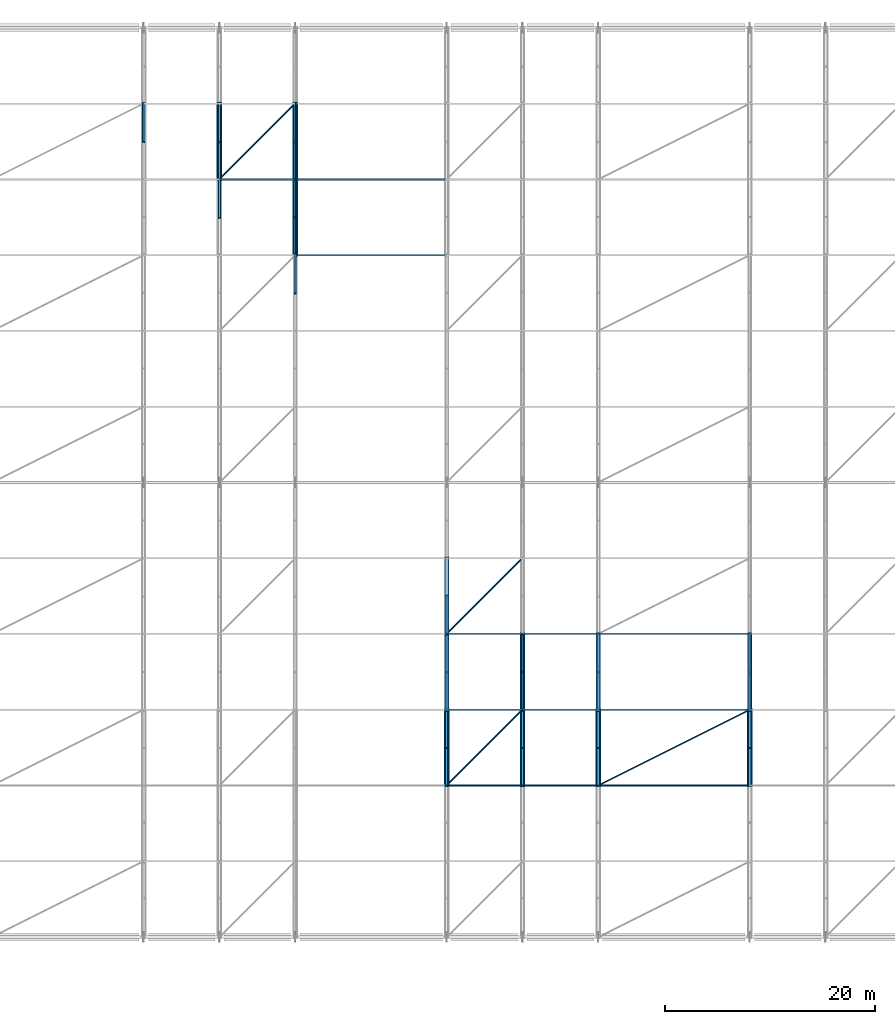
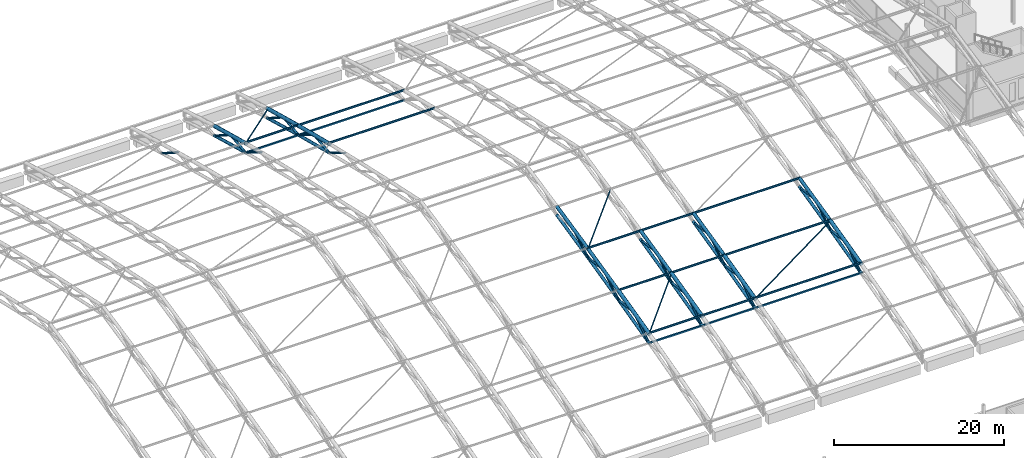
# One storey, part 45 of 193: 71 members.
"""IFC4 building model written with IfcOpenShell, lengths in metres."""

import ifcopenshell
import ifcopenshell.guid

model = None  # the IFC model being written
_history = None  # IfcOwnerHistory: only IFC2X3 demands one
_inside = {}  # id of a spatial element -> (the spatial element, [elements in it])
_under = {}  # id of a project, library or spatial element -> (it, [spatial elements below it])
_declared = {}  # id of a project -> (the project, [libraries it declares])
_typed = {}  # id of a type object -> (the type object, [elements of that type])
_made_of = {}  # id of a material, layer set ... -> (it, [elements and type objects made of it])


def new_model(schema):
    """Start an empty IFC model of exactly this schema.

    Asked for "IFC4X3", IfcOpenShell would pick the latest addendum, in which some entities
    have other attributes; the version numbers below select the first issue.
    IFC2X3 requires an IfcOwnerHistory on every rooted entity: one is made here for all.
    """
    global model, _history
    if schema == "IFC4X3":
        model = ifcopenshell.file(schema_version=(4, 3, 0, 0))
    else:
        model = ifcopenshell.file(schema=schema)
    _inside.clear()
    _under.clear()
    _declared.clear()
    _typed.clear()
    _made_of.clear()
    _history = None
    if model.schema == "IFC2X3":
        org = make("IfcOrganization", Name="unknown")
        user = make(
            "IfcPersonAndOrganization",
            ThePerson=make("IfcPerson", FamilyName="unknown"),
            TheOrganization=org,
        )
        app = make(
            "IfcApplication",
            ApplicationDeveloper=org,
            Version="unknown",
            ApplicationFullName="unknown",
            ApplicationIdentifier="unknown",
        )
        _history = make(
            "IfcOwnerHistory",
            OwningUser=user,
            OwningApplication=app,
            ChangeAction="ADDED",
            CreationDate=0,
        )
    return model


def make(cls, **values):
    """One entity of the class cls with the attributes given. An attribute that is None is left unset."""
    return model.create_entity(
        cls, **{name: value for name, value in values.items() if value is not None}
    )


def rooted(cls, **values):
    """An entity with a GlobalId (a new one), such as an element, a storey or a relation."""
    return make(cls, GlobalId=ifcopenshell.guid.new(), OwnerHistory=_history, **values)


def si_unit(unit_type, name, prefix=None):
    """IfcSIUnit, for example si_unit("LENGTHUNIT", "METRE", prefix="MILLI")."""
    return make("IfcSIUnit", UnitType=unit_type, Prefix=prefix, Name=name)


def assignment(units):
    """IfcUnitAssignment: the units of a project."""
    return None if units is None else make("IfcUnitAssignment", Units=units)


def point(xyz):
    """IfcCartesianPoint."""
    return None if xyz is None else make("IfcCartesianPoint", Coordinates=xyz)


def direction(xyz):
    """IfcDirection."""
    return None if xyz is None else make("IfcDirection", DirectionRatios=xyz)


def frame(location, z_axis=None, x_axis=None):
    """IfcAxis2Placement3D, a coordinate frame: its origin and axes. An axis left out is left unset."""
    return make(
        "IfcAxis2Placement3D",
        Location=point(location),
        Axis=direction(z_axis),
        RefDirection=direction(x_axis),
    )


def frame_2d(location, x_axis=None):
    """IfcAxis2Placement2D, a coordinate frame in the plane: its origin and x axis."""
    return make(
        "IfcAxis2Placement2D", Location=point(location), RefDirection=direction(x_axis)
    )


def origin():
    """The frame at (0, 0, 0) with its axes left unset."""
    return frame((0.0, 0.0, 0.0))


def origin_2d():
    """The frame at (0, 0) in the plane with its x axis left unset."""
    return frame_2d((0.0, 0.0))


def place(relative_to, where):
    """IfcLocalPlacement: puts the frame where relative to a parent placement (None: the world)."""
    return make(
        "IfcLocalPlacement", PlacementRelTo=relative_to, RelativePlacement=where
    )


def context(
    kind, dimensions, precision=None, world=None, true_north=None, identifier=None
):
    """IfcGeometricRepresentationContext, for example the 3D "Model" context."""
    return make(
        "IfcGeometricRepresentationContext",
        ContextIdentifier=identifier,
        ContextType=kind,
        CoordinateSpaceDimension=dimensions,
        Precision=precision,
        WorldCoordinateSystem=world,
        TrueNorth=true_north,
    )


def subcontext(parent, identifier, kind, view, scale=None):
    """IfcGeometricRepresentationSubContext, for example "Body" below "Model"."""
    return make(
        "IfcGeometricRepresentationSubContext",
        ContextIdentifier=identifier,
        ContextType=kind,
        ParentContext=parent,
        TargetScale=scale,
        TargetView=view,
    )


def project(units=None, contexts=None):
    """IfcProject with its units and contexts."""
    return rooted(
        "IfcProject",
        Name="project",
        RepresentationContexts=contexts,
        UnitsInContext=assignment(units),
    )


def spatial(cls, under=None, at=None, **own):
    """A site, building, storey or space (cls), placed at a placement, below another one or the project."""
    s = rooted(cls, ObjectPlacement=at, **own)
    if under is not None:
        _under.setdefault(under.id(), (under, []))[1].append(s)
    return s


def profile(cls, at=None, kind="AREA", **sizes):
    """A parametric profile (cls). Its sizes go by their IFC names, for example OverallWidth=200.0."""
    return make(cls, ProfileType=kind, Position=at, **sizes)


def hollow_rectangle(**sizes):
    """IfcRectangleHollowProfileDef."""
    return profile("IfcRectangleHollowProfileDef", **sizes)


def hollow_circle(**sizes):
    """IfcCircleHollowProfileDef."""
    return profile("IfcCircleHollowProfileDef", **sizes)


def i_section(**sizes):
    """IfcIShapeProfileDef."""
    return profile("IfcIShapeProfileDef", **sizes)


def extrude(swept, where, along, depth):
    """IfcExtrudedAreaSolid: the profile swept, set in the frame where, extruded along a direction by depth."""
    return make(
        "IfcExtrudedAreaSolid",
        SweptArea=swept,
        Position=where,
        ExtrudedDirection=direction(along),
        Depth=depth,
    )


def shape(context_of_items, identifier, shape_type, items):
    """IfcShapeRepresentation: the items that make up one representation, for example the "Body"."""
    return make(
        "IfcShapeRepresentation",
        ContextOfItems=context_of_items,
        RepresentationIdentifier=identifier,
        RepresentationType=shape_type,
        Items=items,
    )


def material(Name=None, Category=None):
    """IfcMaterial."""
    return make("IfcMaterial", Name=Name, Category=Category)


def material_profile(
    of_material, cross_section, Name=None, Category=None, Priority=None
):
    """IfcMaterialProfile: a cross section and its material."""
    return make(
        "IfcMaterialProfile",
        Name=Name,
        Material=of_material,
        Profile=cross_section,
        Priority=Priority,
        Category=Category,
    )


def profile_set(profiles, Name=None, composite=None):
    """IfcMaterialProfileSet."""
    return make(
        "IfcMaterialProfileSet",
        Name=Name,
        MaterialProfiles=profiles,
        CompositeProfile=composite,
    )


def made_of(thing, what):
    """Note that an element or type object is made of a material, layer set ...; save() writes the relation."""
    if what is not None:
        _made_of.setdefault(what.id(), (what, []))[1].append(thing)
    return thing


def type_object(cls, material=None, **own):
    """A type object (cls), such as IfcWallType, which elements share."""
    return made_of(rooted(cls, **own), material)


def element(
    cls,
    number,
    at=None,
    inside=None,
    cuts=None,
    type_object=None,
    material=None,
    context=None,
    identifier="Body",
    shape_type=None,
    held_by="IfcProductDefinitionShape",
    body=None,
    shapes=None,
    **own,
):
    """One element of the class cls, such as IfcWall. Its Tag is "e" and its number.

    at: its placement. inside: the storey or other place that contains it. cuts: it is an
    opening in that element (IfcRelVoidsElement). A single representation is given by context,
    identifier, shape_type and body (its items); several are given by shapes. held_by: the class
    of the entity that holds the representations. save() writes the other relations.
    """
    e = rooted(cls, Tag="e%d" % number, ObjectPlacement=at, **own)
    if body is not None:
        shapes = [shape(context, identifier, shape_type, body)]
    if shapes is not None:
        e.Representation = make(held_by, Representations=shapes)
    if inside is not None:
        _inside.setdefault(inside.id(), (inside, []))[1].append(e)
    if cuts is not None:
        rooted(
            "IfcRelVoidsElement", RelatingBuildingElement=cuts, RelatedOpeningElement=e
        )
    if type_object is not None:
        _typed.setdefault(type_object.id(), (type_object, []))[1].append(e)
    return made_of(e, material)


def aggregate(whole, parts):
    """IfcRelAggregates: a whole, such as a stair, and the parts it consists of."""
    return rooted("IfcRelAggregates", RelatingObject=whole, RelatedObjects=parts)


def save(model, path):
    """Write the relations noted so far, then the file.

    IfcRelAggregates (storeys below a building ...), IfcRelContainedInSpatialStructure (elements
    in a storey), IfcRelDefinesByType, IfcRelAssociatesMaterial and IfcRelDeclares: one each for
    every whole, place, type object, material and project.
    """
    for whole, parts in _under.values():
        aggregate(whole, parts)
    for where, things in _inside.values():
        rooted(
            "IfcRelContainedInSpatialStructure",
            RelatedElements=things,
            RelatingStructure=where,
        )
    for kind, things in _typed.values():
        rooted("IfcRelDefinesByType", RelatedObjects=things, RelatingType=kind)
    for what, things in _made_of.values():
        rooted("IfcRelAssociatesMaterial", RelatedObjects=things, RelatingMaterial=what)
    for by, libraries in _declared.values():
        rooted("IfcRelDeclares", RelatingContext=by, RelatedDefinitions=libraries)
    model.write(path)


model = new_model("IFC4")

# Units and contexts
model_context = context("Model", 3, precision=1e-05, world=origin(), true_north=direction((0.0, 1.0)))
body_context = subcontext(model_context, "Body", "Model", "MODEL_VIEW")
ifc_project = project(units=[si_unit("LENGTHUNIT", "METRE"), si_unit("AREAUNIT", "SQUARE_METRE"), si_unit("VOLUMEUNIT", "CUBIC_METRE"), si_unit("PLANEANGLEUNIT", "RADIAN"), si_unit("MASSUNIT", "GRAM", prefix="KILO")], contexts=[model_context])

# Site, building, storey
site_placement = place(None, origin())
site = spatial("IfcSite", under=ifc_project, at=site_placement, CompositionType="ELEMENT")
building_placement = place(site_placement, origin())
building = spatial("IfcBuilding", under=site, at=building_placement, Name="Cendralis Lancet Convention Centre", CompositionType="ELEMENT")
storey_placement = place(building_placement, frame((0.0, 0.0, 10.199951171875)))
storey = spatial("IfcBuildingStorey", under=building, at=storey_placement, Name="L02", CompositionType="ELEMENT", Elevation=10.199951171875)

# Members
ifc_material = material(Name="Steel S355", Category="steel")
ifc_material_profile_1 = material_profile(ifc_material, hollow_circle(Radius=0.084228515625, WallThickness=0.008056640625, at=origin_2d()), Name="CHS 168.3x8.0")
ifc_profile_set_1 = profile_set([ifc_material_profile_1], Name="Steel S355")
member_type_1 = type_object("IfcMemberType", Name="STR-BR-RB01", PredefinedType="BRACE", material=ifc_profile_set_1)
member_1_placement = place(storey_placement, frame((43.199951171875, 122.39990234375, 7.576416015625), z_axis=(0.694854047824, 0.694877609387, -0.185264568107), x_axis=(-0.7071187694, 0.70709479277, 0.0)))
element("IfcMember", 1, at=member_1_placement, inside=storey, type_object=member_type_1, Name="Roof Diaphragm Brace RB01 V1-05-10A", PredefinedType="BRACE", context=body_context, shape_type="SweptSolid", body=[
    extrude(hollow_circle(Radius=0.084228515625, WallThickness=0.008056640625, at=origin_2d()), origin(), (0.0, 0.0, 1.0), 10.36181640625),
])
member_2_placement = place(storey_placement, frame((64.800048828125, 64.800048828125, 7.576416015625), z_axis=(0.696392758522, 0.696392758522, 0.173419294652), x_axis=(-0.707106781187, 0.707106781187, 0.0)))
element("IfcMember", 2, at=member_2_placement, inside=storey, type_object=member_type_1, Name="Roof Diaphragm Brace RB01 V1-07-02A", PredefinedType="BRACE", context=body_context, shape_type="SweptSolid", body=[
    extrude(hollow_circle(Radius=0.084228515625, WallThickness=0.008056640625, at=origin_2d()), origin(), (0.0, 0.0, 1.0), 10.3388671875),
])
member_3_placement = place(storey_placement, frame((64.800048828125, 79.199951171875, 11.056884765625), z_axis=(0.698500909513, 0.698500909513, 0.155540859), x_axis=(-0.707106781187, 0.707106781187, 0.0)))
element("IfcMember", 3, at=member_3_placement, inside=storey, type_object=member_type_1, Name="Roof Diaphragm Brace RB01 V1-07-04A", PredefinedType="BRACE", context=body_context, shape_type="SweptSolid", body=[
    extrude(hollow_circle(Radius=0.084228515625, WallThickness=0.008056640625, at=origin_2d()), origin(), (0.0, 0.0, 1.0), 10.3076171875),
])
member_4_placement = place(storey_placement, frame((79.199951171875, 64.800048828125, 7.576416015625), z_axis=(0.888934763232, 0.444459846099, 0.110681669315), x_axis=(-0.447207529808, 0.89443022382, 0.0)))
element("IfcMember", 4, at=member_4_placement, inside=storey, type_object=member_type_1, Name="Roof Diaphragm Brace RB01 V1-09-02A", PredefinedType="BRACE", context=body_context, shape_type="SweptSolid", body=[
    extrude(hollow_circle(Radius=0.084228515625, WallThickness=0.008056640625, at=origin_2d()), origin(), (0.0, 0.0, 1.0), 16.19921875),
])
ifc_material_profile_2 = material_profile(ifc_material, hollow_rectangle(XDim=0.199951171875, YDim=0.199951171875, WallThickness=0.010009765625, at=origin_2d()), Name="SHS 200x200x10.0")
ifc_profile_set_2 = profile_set([ifc_material_profile_2], Name="Steel S355")
member_type_2 = type_object("IfcMemberType", Name="STR-BR-ST01", PredefinedType="STRUT", material=ifc_profile_set_2)
member_5_placement = place(storey_placement, frame((43.199951171875, 122.39990234375, 6.2509765625), z_axis=(1.0, 0.0, 0.0), x_axis=(0.0, 1.0, 0.0)))
element("IfcMember", 5, at=member_5_placement, inside=storey, type_object=member_type_2, Name="Arch Tie Strut ST01 V1-05-10", PredefinedType="STRUT", context=body_context, shape_type="SweptSolid", body=[
    extrude(hollow_rectangle(XDim=0.199951171875, YDim=0.199951171875, WallThickness=0.010009765625, at=origin_2d()), origin(), (0.0, 0.0, 1.0), 7.199951171875),
])
member_6_placement = place(storey_placement, frame((50.39990234375, 122.39990234375, 6.2509765625), z_axis=(1.0, 0.0, 0.0), x_axis=(0.0, 1.0, 0.0)))
element("IfcMember", 6, at=member_6_placement, inside=storey, type_object=member_type_2, Name="Arch Tie Strut ST01 V1-06-10", PredefinedType="STRUT", context=body_context, shape_type="SweptSolid", body=[
    extrude(hollow_rectangle(XDim=0.199951171875, YDim=0.199951171875, WallThickness=0.010009765625, at=origin_2d()), origin(), (0.0, 0.0, 1.0), 14.400146484375),
])
for number, where, z_axis, x_axis, name in (
    (7, (64.800048828125, 64.800048828125, 6.2509765625), (1.0, 0.0, 0.0), (0.0, 1.0, 0.0), "Arch Tie Strut ST01 V1-07-02"),
    (8, (72.0, 64.800048828125, 6.2509765625), (1.0, 0.0, 0.0), (0.0, 1.0, 0.0), "Arch Tie Strut ST01 V1-08-02"),
):
    element("IfcMember", number, at=place(storey_placement, frame(where, z_axis=z_axis, x_axis=x_axis)), inside=storey, type_object=member_type_2, Name=name, PredefinedType="STRUT", context=body_context, shape_type="SweptSolid", body=[
        extrude(hollow_rectangle(XDim=0.199951171875, YDim=0.199951171875, WallThickness=0.010009765625, at=origin_2d()), origin(), (0.0, 0.0, 1.0), 7.199951171875),
    ])
member_7_placement = place(storey_placement, frame((79.199951171875, 64.800048828125, 6.2509765625), z_axis=(1.0, 0.0, 0.0), x_axis=(0.0, 1.0, 0.0)))
element("IfcMember", 9, at=member_7_placement, inside=storey, type_object=member_type_2, Name="Arch Tie Strut ST01 V1-09-02", PredefinedType="STRUT", context=body_context, shape_type="SweptSolid", body=[
    extrude(hollow_rectangle(XDim=0.199951171875, YDim=0.199951171875, WallThickness=0.010009765625, at=origin_2d()), origin(), (0.0, 0.0, 1.0), 14.400146484375),
])
ifc_material_profile_3 = material_profile(ifc_material, i_section(OverallWidth=0.135009765625, OverallDepth=0.27001953125, WebThickness=0.006591796875, FlangeThickness=0.01025390625, FilletRadius=0.014892578125, at=origin_2d()), Name="IPE 270")
ifc_profile_set_3 = profile_set([ifc_material_profile_3], Name="Steel S355")
member_type_3 = type_object("IfcMemberType", Name="STR-PR-PR01", PredefinedType="PURLIN", material=ifc_profile_set_3)
member_8_placement = place(storey_placement, frame((43.199951171875, 122.39990234375, 7.69140625), z_axis=(1.0, 0.0, 0.0), x_axis=(0.0, 1.0, 0.0)))
element("IfcMember", 10, at=member_8_placement, inside=storey, type_object=member_type_3, Name="Vault Roof Purlin PR01 V1-05-10", PredefinedType="PURLIN", context=body_context, shape_type="SweptSolid", body=[
    extrude(i_section(OverallWidth=0.135009765625, OverallDepth=0.27001953125, WebThickness=0.006591796875, FlangeThickness=0.01025390625, FilletRadius=0.014892578125, at=origin_2d()), origin(), (0.0, 0.0, 1.0), 7.199951171875),
])
for number, where, z_axis, x_axis, name in (
    (11, (50.39990234375, 115.199951171875, 9.484375), (1.0, 0.0, 0.0), (0.0, 1.0, 0.0), "Vault Roof Purlin PR01 V1-06-09"),
    (12, (50.39990234375, 122.39990234375, 7.69140625), (1.0, 0.0, 0.0), (0.0, 1.0, 0.0), "Vault Roof Purlin PR01 V1-06-10"),
):
    element("IfcMember", number, at=place(storey_placement, frame(where, z_axis=z_axis, x_axis=x_axis)), inside=storey, type_object=member_type_3, Name=name, PredefinedType="PURLIN", context=body_context, shape_type="SweptSolid", body=[
        extrude(i_section(OverallWidth=0.135009765625, OverallDepth=0.27001953125, WebThickness=0.006591796875, FlangeThickness=0.01025390625, FilletRadius=0.014892578125, at=origin_2d()), origin(), (0.0, 0.0, 1.0), 14.400146484375),
    ])
for number, where, z_axis, x_axis, name in (
    (13, (64.800048828125, 64.800048828125, 7.69140625), (1.0, 0.0, 0.0), (0.0, 1.0, 0.0), "Vault Roof Purlin PR01 V1-07-02"),
    (14, (64.800048828125, 72.0, 9.484375), (1.0, 0.0, 0.0), (0.0, 1.0, 0.0), "Vault Roof Purlin PR01 V1-07-03"),
    (15, (64.800048828125, 79.199951171875, 11.171875), (1.0, 0.0, 0.0), (0.0, 1.0, 0.0), "Vault Roof Purlin PR01 V1-07-04"),
    (16, (72.0, 64.800048828125, 7.69140625), (1.0, 0.0, 0.0), (0.0, 1.0, 0.0), "Vault Roof Purlin PR01 V1-08-02"),
    (17, (72.0, 72.0, 9.484375), (1.0, 0.0, 0.0), (0.0, 1.0, 0.0), "Vault Roof Purlin PR01 V1-08-03"),
    (18, (72.0, 79.199951171875, 11.171875), (1.0, 0.0, 0.0), (0.0, 1.0, 0.0), "Vault Roof Purlin PR01 V1-08-04"),
):
    element("IfcMember", number, at=place(storey_placement, frame(where, z_axis=z_axis, x_axis=x_axis)), inside=storey, type_object=member_type_3, Name=name, PredefinedType="PURLIN", context=body_context, shape_type="SweptSolid", body=[
        extrude(i_section(OverallWidth=0.135009765625, OverallDepth=0.27001953125, WebThickness=0.006591796875, FlangeThickness=0.01025390625, FilletRadius=0.014892578125, at=origin_2d()), origin(), (0.0, 0.0, 1.0), 7.199951171875),
    ])
for number, where, z_axis, x_axis, name in (
    (19, (79.199951171875, 64.800048828125, 7.69140625), (1.0, 0.0, 0.0), (0.0, 1.0, 0.0), "Vault Roof Purlin PR01 V1-09-02"),
    (20, (79.199951171875, 72.0, 9.484375), (1.0, 0.0, 0.0), (0.0, 1.0, 0.0), "Vault Roof Purlin PR01 V1-09-03"),
    (21, (79.199951171875, 79.199951171875, 11.171875), (1.0, 0.0, 0.0), (0.0, 1.0, 0.0), "Vault Roof Purlin PR01 V1-09-04"),
):
    element("IfcMember", number, at=place(storey_placement, frame(where, z_axis=z_axis, x_axis=x_axis)), inside=storey, type_object=member_type_3, Name=name, PredefinedType="PURLIN", context=body_context, shape_type="SweptSolid", body=[
        extrude(i_section(OverallWidth=0.135009765625, OverallDepth=0.27001953125, WebThickness=0.006591796875, FlangeThickness=0.01025390625, FilletRadius=0.014892578125, at=origin_2d()), origin(), (0.0, 0.0, 1.0), 14.400146484375),
    ])
ifc_material_profile_4 = material_profile(ifc_material, hollow_circle(Radius=0.203125, WallThickness=0.01611328125, at=origin_2d()), Name="CHS 406.4x16.0")
ifc_profile_set_4 = profile_set([ifc_material_profile_4], Name="Steel S355")
member_type_4 = type_object("IfcMemberType", Name="STR-TR-BC01-INT", PredefinedType="CHORD", material=ifc_profile_set_4)
member_9_placement = place(storey_placement, frame((43.199951171875, 122.2841796875, 6.282470703125), z_axis=(0.0, 0.964987331955, -0.262296490953), x_axis=(-1.0, 0.0, 0.0)))
element("IfcMember", 22, at=member_9_placement, inside=storey, type_object=member_type_4, Name="ROOF TRUSS AT-V1-06 Bottom Chord 10", PredefinedType="CHORD", context=body_context, shape_type="SweptSolid", body=[
    extrude(hollow_circle(Radius=0.203125, WallThickness=0.01611328125, at=origin_2d()), origin(), (0.0, 0.0, 1.0), 7.701171875),
])
member_10_placement = place(storey_placement, frame((50.39990234375, 115.083740234375, 8.111083984375), z_axis=(0.0, 0.969168531094, -0.246398779092), x_axis=(-1.0, 0.0, 0.0)))
element("IfcMember", 23, at=member_10_placement, inside=storey, type_object=member_type_4, Name="ROOF TRUSS AT-V1-07 Bottom Chord 09", PredefinedType="CHORD", context=body_context, shape_type="SweptSolid", body=[
    extrude(hollow_circle(Radius=0.203125, WallThickness=0.01611328125, at=origin_2d()), origin(), (0.0, 0.0, 1.0), 7.6689453125),
])
member_11_placement = place(storey_placement, frame((50.39990234375, 122.2841796875, 6.282470703125), z_axis=(0.0, 0.964987331955, -0.262296490953), x_axis=(-1.0, 0.0, 0.0)))
element("IfcMember", 24, at=member_11_placement, inside=storey, type_object=member_type_4, Name="ROOF TRUSS AT-V1-07 Bottom Chord 10", PredefinedType="CHORD", context=body_context, shape_type="SweptSolid", body=[
    extrude(hollow_circle(Radius=0.203125, WallThickness=0.01611328125, at=origin_2d()), origin(), (0.0, 0.0, 1.0), 7.701171875),
])
member_12_placement = place(storey_placement, frame((64.800048828125, 64.68359375, 6.221435546875), z_axis=(0.0, 0.969168531094, 0.246398779092), x_axis=(-1.0, 0.0, 0.0)))
element("IfcMember", 25, at=member_12_placement, inside=storey, type_object=member_type_4, Name="ROOF TRUSS AT-V1-08 Bottom Chord 02", PredefinedType="CHORD", context=body_context, shape_type="SweptSolid", body=[
    extrude(hollow_circle(Radius=0.203125, WallThickness=0.01611328125, at=origin_2d()), origin(), (0.0, 0.0, 1.0), 7.6689453125),
])
member_13_placement = place(storey_placement, frame((64.800048828125, 71.88330078125, 8.053466796875), z_axis=(0.0, 0.97248347478, 0.232971868002), x_axis=(-1.0, 0.0, 0.0)))
element("IfcMember", 26, at=member_13_placement, inside=storey, type_object=member_type_4, Name="ROOF TRUSS AT-V1-08 Bottom Chord 03", PredefinedType="CHORD", context=body_context, shape_type="SweptSolid", body=[
    extrude(hollow_circle(Radius=0.203125, WallThickness=0.01611328125, at=origin_2d()), origin(), (0.0, 0.0, 1.0), 7.643798828125),
])
member_14_placement = place(storey_placement, frame((64.800048828125, 79.0830078125, 9.779541015625), z_axis=(0.0, 0.975004361287, 0.222185722922), x_axis=(-1.0, 0.0, 0.0)))
element("IfcMember", 27, at=member_14_placement, inside=storey, type_object=member_type_4, Name="ROOF TRUSS AT-V1-08 Bottom Chord 04", PredefinedType="CHORD", context=body_context, shape_type="SweptSolid", body=[
    extrude(hollow_circle(Radius=0.203125, WallThickness=0.01611328125, at=origin_2d()), origin(), (0.0, 0.0, 1.0), 7.624755859375),
])
member_15_placement = place(storey_placement, frame((72.0, 64.68359375, 6.221435546875), z_axis=(0.0, 0.969168531094, 0.246398779092), x_axis=(-1.0, 0.0, 0.0)))
element("IfcMember", 28, at=member_15_placement, inside=storey, type_object=member_type_4, Name="ROOF TRUSS AT-V1-09 Bottom Chord 02", PredefinedType="CHORD", context=body_context, shape_type="SweptSolid", body=[
    extrude(hollow_circle(Radius=0.203125, WallThickness=0.01611328125, at=origin_2d()), origin(), (0.0, 0.0, 1.0), 7.6689453125),
])
member_16_placement = place(storey_placement, frame((72.0, 71.88330078125, 8.053466796875), z_axis=(0.0, 0.97248347478, 0.232971868002), x_axis=(-1.0, 0.0, 0.0)))
element("IfcMember", 29, at=member_16_placement, inside=storey, type_object=member_type_4, Name="ROOF TRUSS AT-V1-09 Bottom Chord 03", PredefinedType="CHORD", context=body_context, shape_type="SweptSolid", body=[
    extrude(hollow_circle(Radius=0.203125, WallThickness=0.01611328125, at=origin_2d()), origin(), (0.0, 0.0, 1.0), 7.643798828125),
])
member_17_placement = place(storey_placement, frame((79.199951171875, 64.68359375, 6.221435546875), z_axis=(0.0, 0.969168531094, 0.246398779092), x_axis=(-1.0, 0.0, 0.0)))
element("IfcMember", 30, at=member_17_placement, inside=storey, type_object=member_type_4, Name="ROOF TRUSS AT-V1-10 Bottom Chord 02", PredefinedType="CHORD", context=body_context, shape_type="SweptSolid", body=[
    extrude(hollow_circle(Radius=0.203125, WallThickness=0.01611328125, at=origin_2d()), origin(), (0.0, 0.0, 1.0), 7.6689453125),
])
member_18_placement = place(storey_placement, frame((79.199951171875, 71.88330078125, 8.053466796875), z_axis=(0.0, 0.97248347478, 0.232971868002), x_axis=(-1.0, 0.0, 0.0)))
element("IfcMember", 31, at=member_18_placement, inside=storey, type_object=member_type_4, Name="ROOF TRUSS AT-V1-10 Bottom Chord 03", PredefinedType="CHORD", context=body_context, shape_type="SweptSolid", body=[
    extrude(hollow_circle(Radius=0.203125, WallThickness=0.01611328125, at=origin_2d()), origin(), (0.0, 0.0, 1.0), 7.643798828125),
])
member_19_placement = place(storey_placement, frame((93.60009765625, 64.68359375, 6.221435546875), z_axis=(0.0, 0.969168531094, 0.246398779092), x_axis=(-1.0, 0.0, 0.0)))
element("IfcMember", 32, at=member_19_placement, inside=storey, type_object=member_type_4, Name="ROOF TRUSS AT-V1-11 Bottom Chord 02", PredefinedType="CHORD", context=body_context, shape_type="SweptSolid", body=[
    extrude(hollow_circle(Radius=0.203125, WallThickness=0.01611328125, at=origin_2d()), origin(), (0.0, 0.0, 1.0), 7.6689453125),
])
member_20_placement = place(storey_placement, frame((93.60009765625, 71.88330078125, 8.053466796875), z_axis=(0.0, 0.97248347478, 0.232971868002), x_axis=(-1.0, 0.0, 0.0)))
element("IfcMember", 33, at=member_20_placement, inside=storey, type_object=member_type_4, Name="ROOF TRUSS AT-V1-11 Bottom Chord 03", PredefinedType="CHORD", context=body_context, shape_type="SweptSolid", body=[
    extrude(hollow_circle(Radius=0.203125, WallThickness=0.01611328125, at=origin_2d()), origin(), (0.0, 0.0, 1.0), 7.643798828125),
])
ifc_material_profile_5 = material_profile(ifc_material, hollow_circle(Radius=0.25390625, WallThickness=0.02001953125, at=origin_2d()), Name="CHS 508.0x20.0")
ifc_profile_set_5 = profile_set([ifc_material_profile_5], Name="Steel S355")
member_type_5 = type_object("IfcMemberType", Name="STR-TR-TC01-INT", PredefinedType="CHORD", material=ifc_profile_set_5)
member_21_placement = place(storey_placement, frame((43.199951171875, 122.2841796875, 7.607177734375), z_axis=(0.0, 0.966245475764, -0.257623136705), x_axis=(-1.0, 0.0, 0.0)))
element("IfcMember", 34, at=member_21_placement, inside=storey, type_object=member_type_5, Name="ROOF TRUSS AT-V1-06 Top Chord 10", PredefinedType="CHORD", context=body_context, shape_type="SweptSolid", body=[
    extrude(hollow_circle(Radius=0.25390625, WallThickness=0.02001953125, at=origin_2d()), origin(), (0.0, 0.0, 1.0), 7.691162109375),
])
member_22_placement = place(storey_placement, frame((50.39990234375, 115.08349609375, 9.3984375), z_axis=(0.0, 0.97036146187, -0.241658091769), x_axis=(-1.0, 0.0, 0.0)))
element("IfcMember", 35, at=member_22_placement, inside=storey, type_object=member_type_5, Name="ROOF TRUSS AT-V1-07 Top Chord 09", PredefinedType="CHORD", context=body_context, shape_type="SweptSolid", body=[
    extrude(hollow_circle(Radius=0.25390625, WallThickness=0.02001953125, at=origin_2d()), origin(), (0.0, 0.0, 1.0), 7.659912109375),
])
member_23_placement = place(storey_placement, frame((50.39990234375, 122.2841796875, 7.607177734375), z_axis=(0.0, 0.966245475764, -0.257623136705), x_axis=(-1.0, 0.0, 0.0)))
element("IfcMember", 36, at=member_23_placement, inside=storey, type_object=member_type_5, Name="ROOF TRUSS AT-V1-07 Top Chord 10", PredefinedType="CHORD", context=body_context, shape_type="SweptSolid", body=[
    extrude(hollow_circle(Radius=0.25390625, WallThickness=0.02001953125, at=origin_2d()), origin(), (0.0, 0.0, 1.0), 7.691162109375),
])
for number, where, z_axis, x_axis, name in (
    (37, (64.800048828125, 64.68359375, 7.54736328125), (0.0, 0.97036146187, 0.241658091769), (-1.0, 0.0, 0.0), "ROOF TRUSS AT-V1-08 Top Chord 02"),
    (38, (72.0, 64.68359375, 7.54736328125), (0.0, 0.97036146187, 0.241658091769), (-1.0, 0.0, 0.0), "ROOF TRUSS AT-V1-09 Top Chord 02"),
    (39, (79.199951171875, 64.68359375, 7.54736328125), (0.0, 0.97036146187, 0.241658091769), (-1.0, 0.0, 0.0), "ROOF TRUSS AT-V1-10 Top Chord 02"),
    (40, (93.60009765625, 64.68359375, 7.54736328125), (0.0, 0.97036146187, 0.241658091769), (-1.0, 0.0, 0.0), "ROOF TRUSS AT-V1-11 Top Chord 02"),
):
    element("IfcMember", number, at=place(storey_placement, frame(where, z_axis=z_axis, x_axis=x_axis)), inside=storey, type_object=member_type_5, Name=name, PredefinedType="CHORD", context=body_context, shape_type="SweptSolid", body=[
        extrude(hollow_circle(Radius=0.25390625, WallThickness=0.02001953125, at=origin_2d()), origin(), (0.0, 0.0, 1.0), 7.659912109375),
    ])
ifc_material_profile_6 = material_profile(ifc_material, hollow_circle(Radius=0.228515625, WallThickness=0.02001953125, at=origin_2d()), Name="CHS 457.0x20.0")
ifc_profile_set_6 = profile_set([ifc_material_profile_6], Name="Steel S355")
member_type_6 = type_object("IfcMemberType", Name="STR-TR-TC01B-INT", PredefinedType="CHORD", material=ifc_profile_set_6)
member_24_placement = place(storey_placement, frame((64.800048828125, 71.88330078125, 9.342041015625), z_axis=(0.0, 0.973618086595, 0.22818374494), x_axis=(-1.0, 0.0, 0.0)))
element("IfcMember", 41, at=member_24_placement, inside=storey, type_object=member_type_6, Name="ROOF TRUSS AT-V1-08 Top Chord 03", PredefinedType="CHORD", context=body_context, shape_type="SweptSolid", body=[
    extrude(hollow_circle(Radius=0.228515625, WallThickness=0.02001953125, at=origin_2d()), origin(), (0.0, 0.0, 1.0), 7.635009765625),
])
member_25_placement = place(storey_placement, frame((64.800048828125, 79.0830078125, 11.03076171875), z_axis=(0.0, 0.976089664154, 0.217368276277), x_axis=(-1.0, 0.0, 0.0)))
element("IfcMember", 42, at=member_25_placement, inside=storey, type_object=member_type_6, Name="ROOF TRUSS AT-V1-08 Top Chord 04", PredefinedType="CHORD", context=body_context, shape_type="SweptSolid", body=[
    extrude(hollow_circle(Radius=0.228515625, WallThickness=0.02001953125, at=origin_2d()), origin(), (0.0, 0.0, 1.0), 7.6162109375),
])
for number, where, z_axis, x_axis, name in (
    (43, (72.0, 71.88330078125, 9.342041015625), (0.0, 0.973618086595, 0.22818374494), (-1.0, 0.0, 0.0), "ROOF TRUSS AT-V1-09 Top Chord 03"),
    (44, (79.199951171875, 71.88330078125, 9.342041015625), (0.0, 0.973618086595, 0.22818374494), (-1.0, 0.0, 0.0), "ROOF TRUSS AT-V1-10 Top Chord 03"),
    (45, (93.60009765625, 71.88330078125, 9.342041015625), (0.0, 0.973618086595, 0.22818374494), (-1.0, 0.0, 0.0), "ROOF TRUSS AT-V1-11 Top Chord 03"),
):
    element("IfcMember", number, at=place(storey_placement, frame(where, z_axis=z_axis, x_axis=x_axis)), inside=storey, type_object=member_type_6, Name=name, PredefinedType="CHORD", context=body_context, shape_type="SweptSolid", body=[
        extrude(hollow_circle(Radius=0.228515625, WallThickness=0.02001953125, at=origin_2d()), origin(), (0.0, 0.0, 1.0), 7.635009765625),
    ])
ifc_material_profile_7 = material_profile(ifc_material, hollow_circle(Radius=0.149169921875, WallThickness=0.012451171875, at=origin_2d()), Name="CHS 298.5x12.5")
ifc_profile_set_7 = profile_set([ifc_material_profile_7], Name="Steel S355")
member_type_7 = type_object("IfcMemberType", Name="STR-TR-WD01-INT", PredefinedType="BRACE", material=ifc_profile_set_7)
member_26_placement = place(storey_placement, frame((36.0, 125.916015625, 6.670654296875), z_axis=(0.0, 0.840307049061, -0.542110748186), x_axis=(-1.0, 0.0, 0.0)))
element("IfcMember", 46, at=member_26_placement, inside=storey, type_object=member_type_7, Name="ROOF TRUSS AT-V1-05 Warren Web 10-1", PredefinedType="BRACE", context=body_context, shape_type="SweptSolid", body=[
    extrude(hollow_circle(Radius=0.149169921875, WallThickness=0.012451171875, at=origin_2d()), origin(), (0.0, 0.0, 1.0), 4.484130859375),
])
member_27_placement = place(storey_placement, frame((43.199951171875, 118.71484375, 8.525390625), z_axis=(0.0, 0.850978373815, -0.525200730482), x_axis=(-1.0, 0.0, 0.0)))
element("IfcMember", 47, at=member_27_placement, inside=storey, type_object=member_type_7, Name="ROOF TRUSS AT-V1-06 Warren Web 09-1", PredefinedType="BRACE", context=body_context, shape_type="SweptSolid", body=[
    extrude(hollow_circle(Radius=0.149169921875, WallThickness=0.012451171875, at=origin_2d()), origin(), (0.0, 0.0, 1.0), 4.430419921875),
])
member_28_placement = place(storey_placement, frame((43.199951171875, 122.300537109375, 6.240966796875), z_axis=(0.0, 0.994884749511, 0.101016509493), x_axis=(-1.0, 0.0, 0.0)))
element("IfcMember", 48, at=member_28_placement, inside=storey, type_object=member_type_7, Name="ROOF TRUSS AT-V1-06 Warren Web 10-0", PredefinedType="BRACE", context=body_context, shape_type="SweptSolid", body=[
    extrude(hollow_circle(Radius=0.149169921875, WallThickness=0.012451171875, at=origin_2d()), origin(), (0.0, 0.0, 1.0), 3.818603515625),
])
member_29_placement = place(storey_placement, frame((43.199951171875, 125.916015625, 6.670654296875), z_axis=(0.0, 0.840307049061, -0.542110748186), x_axis=(-1.0, 0.0, 0.0)))
element("IfcMember", 49, at=member_29_placement, inside=storey, type_object=member_type_7, Name="ROOF TRUSS AT-V1-06 Warren Web 10-1", PredefinedType="BRACE", context=body_context, shape_type="SweptSolid", body=[
    extrude(hollow_circle(Radius=0.149169921875, WallThickness=0.012451171875, at=origin_2d()), origin(), (0.0, 0.0, 1.0), 4.484130859375),
])
member_30_placement = place(storey_placement, frame((50.39990234375, 115.1005859375, 8.070556640625), z_axis=(0.0, 0.994139687453, 0.108103107402), x_axis=(-1.0, 0.0, 0.0)))
element("IfcMember", 50, at=member_30_placement, inside=storey, type_object=member_type_7, Name="ROOF TRUSS AT-V1-07 Warren Web 09-0", PredefinedType="BRACE", context=body_context, shape_type="SweptSolid", body=[
    extrude(hollow_circle(Radius=0.149169921875, WallThickness=0.012451171875, at=origin_2d()), origin(), (0.0, 0.0, 1.0), 3.8212890625),
])
member_31_placement = place(storey_placement, frame((50.39990234375, 118.71484375, 8.525390625), z_axis=(0.0, 0.850978373815, -0.525200730482), x_axis=(-1.0, 0.0, 0.0)))
element("IfcMember", 51, at=member_31_placement, inside=storey, type_object=member_type_7, Name="ROOF TRUSS AT-V1-07 Warren Web 09-1", PredefinedType="BRACE", context=body_context, shape_type="SweptSolid", body=[
    extrude(hollow_circle(Radius=0.149169921875, WallThickness=0.012451171875, at=origin_2d()), origin(), (0.0, 0.0, 1.0), 4.430419921875),
])
member_32_placement = place(storey_placement, frame((50.39990234375, 122.300537109375, 6.240966796875), z_axis=(0.0, 0.994884749511, 0.101016509493), x_axis=(-1.0, 0.0, 0.0)))
element("IfcMember", 52, at=member_32_placement, inside=storey, type_object=member_type_7, Name="ROOF TRUSS AT-V1-07 Warren Web 10-0", PredefinedType="BRACE", context=body_context, shape_type="SweptSolid", body=[
    extrude(hollow_circle(Radius=0.149169921875, WallThickness=0.012451171875, at=origin_2d()), origin(), (0.0, 0.0, 1.0), 3.818603515625),
])
member_33_placement = place(storey_placement, frame((50.39990234375, 125.916015625, 6.670654296875), z_axis=(0.0, 0.840307049061, -0.542110748186), x_axis=(-1.0, 0.0, 0.0)))
element("IfcMember", 53, at=member_33_placement, inside=storey, type_object=member_type_7, Name="ROOF TRUSS AT-V1-07 Warren Web 10-1", PredefinedType="BRACE", context=body_context, shape_type="SweptSolid", body=[
    extrude(hollow_circle(Radius=0.149169921875, WallThickness=0.012451171875, at=origin_2d()), origin(), (0.0, 0.0, 1.0), 4.484130859375),
])
member_34_placement = place(storey_placement, frame((64.800048828125, 64.71484375, 6.198486328125), z_axis=(0.0, 0.850978373815, 0.525200730482), x_axis=(-1.0, 0.0, 0.0)))
element("IfcMember", 54, at=member_34_placement, inside=storey, type_object=member_type_7, Name="ROOF TRUSS AT-V1-08 Warren Web 02-0", PredefinedType="BRACE", context=body_context, shape_type="SweptSolid", body=[
    extrude(hollow_circle(Radius=0.149169921875, WallThickness=0.012451171875, at=origin_2d()), origin(), (0.0, 0.0, 1.0), 4.430419921875),
])
member_35_placement = place(storey_placement, frame((64.800048828125, 68.300537109375, 8.483642578125), z_axis=(0.0, 0.994139687453, -0.108103107402), x_axis=(-1.0, 0.0, 0.0)))
element("IfcMember", 55, at=member_35_placement, inside=storey, type_object=member_type_7, Name="ROOF TRUSS AT-V1-08 Warren Web 02-1", PredefinedType="BRACE", context=body_context, shape_type="SweptSolid", body=[
    extrude(hollow_circle(Radius=0.149169921875, WallThickness=0.012451171875, at=origin_2d()), origin(), (0.0, 0.0, 1.0), 3.8212890625),
])
member_36_placement = place(storey_placement, frame((72.0, 64.71484375, 6.198486328125), z_axis=(0.0, 0.850978373815, 0.525200730482), x_axis=(-1.0, 0.0, 0.0)))
element("IfcMember", 56, at=member_36_placement, inside=storey, type_object=member_type_7, Name="ROOF TRUSS AT-V1-09 Warren Web 02-0", PredefinedType="BRACE", context=body_context, shape_type="SweptSolid", body=[
    extrude(hollow_circle(Radius=0.149169921875, WallThickness=0.012451171875, at=origin_2d()), origin(), (0.0, 0.0, 1.0), 4.430419921875),
])
member_37_placement = place(storey_placement, frame((72.0, 68.300537109375, 8.483642578125), z_axis=(0.0, 0.994139687453, -0.108103107402), x_axis=(-1.0, 0.0, 0.0)))
element("IfcMember", 57, at=member_37_placement, inside=storey, type_object=member_type_7, Name="ROOF TRUSS AT-V1-09 Warren Web 02-1", PredefinedType="BRACE", context=body_context, shape_type="SweptSolid", body=[
    extrude(hollow_circle(Radius=0.149169921875, WallThickness=0.012451171875, at=origin_2d()), origin(), (0.0, 0.0, 1.0), 3.8212890625),
])
member_38_placement = place(storey_placement, frame((79.199951171875, 64.71484375, 6.198486328125), z_axis=(0.0, 0.850978373815, 0.525200730482), x_axis=(-1.0, 0.0, 0.0)))
element("IfcMember", 58, at=member_38_placement, inside=storey, type_object=member_type_7, Name="ROOF TRUSS AT-V1-10 Warren Web 02-0", PredefinedType="BRACE", context=body_context, shape_type="SweptSolid", body=[
    extrude(hollow_circle(Radius=0.149169921875, WallThickness=0.012451171875, at=origin_2d()), origin(), (0.0, 0.0, 1.0), 4.430419921875),
])
member_39_placement = place(storey_placement, frame((79.199951171875, 68.300537109375, 8.483642578125), z_axis=(0.0, 0.994139687453, -0.108103107402), x_axis=(-1.0, 0.0, 0.0)))
element("IfcMember", 59, at=member_39_placement, inside=storey, type_object=member_type_7, Name="ROOF TRUSS AT-V1-10 Warren Web 02-1", PredefinedType="BRACE", context=body_context, shape_type="SweptSolid", body=[
    extrude(hollow_circle(Radius=0.149169921875, WallThickness=0.012451171875, at=origin_2d()), origin(), (0.0, 0.0, 1.0), 3.8212890625),
])
member_40_placement = place(storey_placement, frame((93.60009765625, 64.71484375, 6.198486328125), z_axis=(0.0, 0.850978373815, 0.525200730482), x_axis=(-1.0, 0.0, 0.0)))
element("IfcMember", 60, at=member_40_placement, inside=storey, type_object=member_type_7, Name="ROOF TRUSS AT-V1-11 Warren Web 02-0", PredefinedType="BRACE", context=body_context, shape_type="SweptSolid", body=[
    extrude(hollow_circle(Radius=0.149169921875, WallThickness=0.012451171875, at=origin_2d()), origin(), (0.0, 0.0, 1.0), 4.430419921875),
])
member_41_placement = place(storey_placement, frame((93.60009765625, 68.300537109375, 8.483642578125), z_axis=(0.0, 0.994139687453, -0.108103107402), x_axis=(-1.0, 0.0, 0.0)))
element("IfcMember", 61, at=member_41_placement, inside=storey, type_object=member_type_7, Name="ROOF TRUSS AT-V1-11 Warren Web 02-1", PredefinedType="BRACE", context=body_context, shape_type="SweptSolid", body=[
    extrude(hollow_circle(Radius=0.149169921875, WallThickness=0.012451171875, at=origin_2d()), origin(), (0.0, 0.0, 1.0), 3.8212890625),
])
ifc_material_profile_8 = material_profile(ifc_material, hollow_circle(Radius=0.136474609375, WallThickness=0.012451171875, at=origin_2d()), Name="CHS 273.0x12.5")
ifc_profile_set_8 = profile_set([ifc_material_profile_8], Name="Steel S355")
member_type_8 = type_object("IfcMemberType", Name="STR-TR-WD01B-INT", PredefinedType="BRACE", material=ifc_profile_set_8)
for number, where, z_axis, x_axis, name in (
    (62, (50.39990234375, 111.513916015625, 10.26416015625), (0.0, 0.860451614668, -0.509532156802), (-1.0, 0.0, 0.0), "ROOF TRUSS AT-V1-07 Warren Web 08-1"),
    (63, (64.800048828125, 71.9140625, 8.030517578125), (0.0, 0.860451614668, 0.509532156802), (-1.0, 0.0, 0.0), "ROOF TRUSS AT-V1-08 Warren Web 03-0"),
):
    element("IfcMember", number, at=place(storey_placement, frame(where, z_axis=z_axis, x_axis=x_axis)), inside=storey, type_object=member_type_8, Name=name, PredefinedType="BRACE", context=body_context, shape_type="SweptSolid", body=[
        extrude(hollow_circle(Radius=0.136474609375, WallThickness=0.012451171875, at=origin_2d()), origin(), (0.0, 0.0, 1.0), 4.3837890625),
    ])
member_42_placement = place(storey_placement, frame((64.800048828125, 75.50048828125, 10.224365234375), z_axis=(0.0, 0.993677994269, -0.112267732257), x_axis=(-1.0, 0.0, 0.0)))
element("IfcMember", 64, at=member_42_placement, inside=storey, type_object=member_type_8, Name="ROOF TRUSS AT-V1-08 Warren Web 03-1", PredefinedType="BRACE", context=body_context, shape_type="SweptSolid", body=[
    extrude(hollow_circle(Radius=0.136474609375, WallThickness=0.012451171875, at=origin_2d()), origin(), (0.0, 0.0, 1.0), 3.822998046875),
])
member_43_placement = place(storey_placement, frame((64.800048828125, 79.113037109375, 9.7568359375), z_axis=(0.0, 0.86877872096, 0.495200498795), x_axis=(-1.0, 0.0, 0.0)))
element("IfcMember", 65, at=member_43_placement, inside=storey, type_object=member_type_8, Name="ROOF TRUSS AT-V1-08 Warren Web 04-0", PredefinedType="BRACE", context=body_context, shape_type="SweptSolid", body=[
    extrude(hollow_circle(Radius=0.136474609375, WallThickness=0.012451171875, at=origin_2d()), origin(), (0.0, 0.0, 1.0), 4.343994140625),
])
member_44_placement = place(storey_placement, frame((72.0, 71.9140625, 8.030517578125), z_axis=(0.0, 0.860451614668, 0.509532156802), x_axis=(-1.0, 0.0, 0.0)))
element("IfcMember", 66, at=member_44_placement, inside=storey, type_object=member_type_8, Name="ROOF TRUSS AT-V1-09 Warren Web 03-0", PredefinedType="BRACE", context=body_context, shape_type="SweptSolid", body=[
    extrude(hollow_circle(Radius=0.136474609375, WallThickness=0.012451171875, at=origin_2d()), origin(), (0.0, 0.0, 1.0), 4.3837890625),
])
member_45_placement = place(storey_placement, frame((72.0, 75.50048828125, 10.224365234375), z_axis=(0.0, 0.993677994269, -0.112267732257), x_axis=(-1.0, 0.0, 0.0)))
element("IfcMember", 67, at=member_45_placement, inside=storey, type_object=member_type_8, Name="ROOF TRUSS AT-V1-09 Warren Web 03-1", PredefinedType="BRACE", context=body_context, shape_type="SweptSolid", body=[
    extrude(hollow_circle(Radius=0.136474609375, WallThickness=0.012451171875, at=origin_2d()), origin(), (0.0, 0.0, 1.0), 3.822998046875),
])
member_46_placement = place(storey_placement, frame((79.199951171875, 71.9140625, 8.030517578125), z_axis=(0.0, 0.860451614668, 0.509532156802), x_axis=(-1.0, 0.0, 0.0)))
element("IfcMember", 68, at=member_46_placement, inside=storey, type_object=member_type_8, Name="ROOF TRUSS AT-V1-10 Warren Web 03-0", PredefinedType="BRACE", context=body_context, shape_type="SweptSolid", body=[
    extrude(hollow_circle(Radius=0.136474609375, WallThickness=0.012451171875, at=origin_2d()), origin(), (0.0, 0.0, 1.0), 4.3837890625),
])
member_47_placement = place(storey_placement, frame((79.199951171875, 75.50048828125, 10.224365234375), z_axis=(0.0, 0.993677994269, -0.112267732257), x_axis=(-1.0, 0.0, 0.0)))
element("IfcMember", 69, at=member_47_placement, inside=storey, type_object=member_type_8, Name="ROOF TRUSS AT-V1-10 Warren Web 03-1", PredefinedType="BRACE", context=body_context, shape_type="SweptSolid", body=[
    extrude(hollow_circle(Radius=0.136474609375, WallThickness=0.012451171875, at=origin_2d()), origin(), (0.0, 0.0, 1.0), 3.822998046875),
])
member_48_placement = place(storey_placement, frame((93.60009765625, 71.9140625, 8.030517578125), z_axis=(0.0, 0.860451614668, 0.509532156802), x_axis=(-1.0, 0.0, 0.0)))
element("IfcMember", 70, at=member_48_placement, inside=storey, type_object=member_type_8, Name="ROOF TRUSS AT-V1-11 Warren Web 03-0", PredefinedType="BRACE", context=body_context, shape_type="SweptSolid", body=[
    extrude(hollow_circle(Radius=0.136474609375, WallThickness=0.012451171875, at=origin_2d()), origin(), (0.0, 0.0, 1.0), 4.3837890625),
])
member_49_placement = place(storey_placement, frame((93.60009765625, 75.50048828125, 10.224365234375), z_axis=(0.0, 0.993677994269, -0.112267732257), x_axis=(-1.0, 0.0, 0.0)))
element("IfcMember", 71, at=member_49_placement, inside=storey, type_object=member_type_8, Name="ROOF TRUSS AT-V1-11 Warren Web 03-1", PredefinedType="BRACE", context=body_context, shape_type="SweptSolid", body=[
    extrude(hollow_circle(Radius=0.136474609375, WallThickness=0.012451171875, at=origin_2d()), origin(), (0.0, 0.0, 1.0), 3.822998046875),
])

save(model, "model.ifc")
